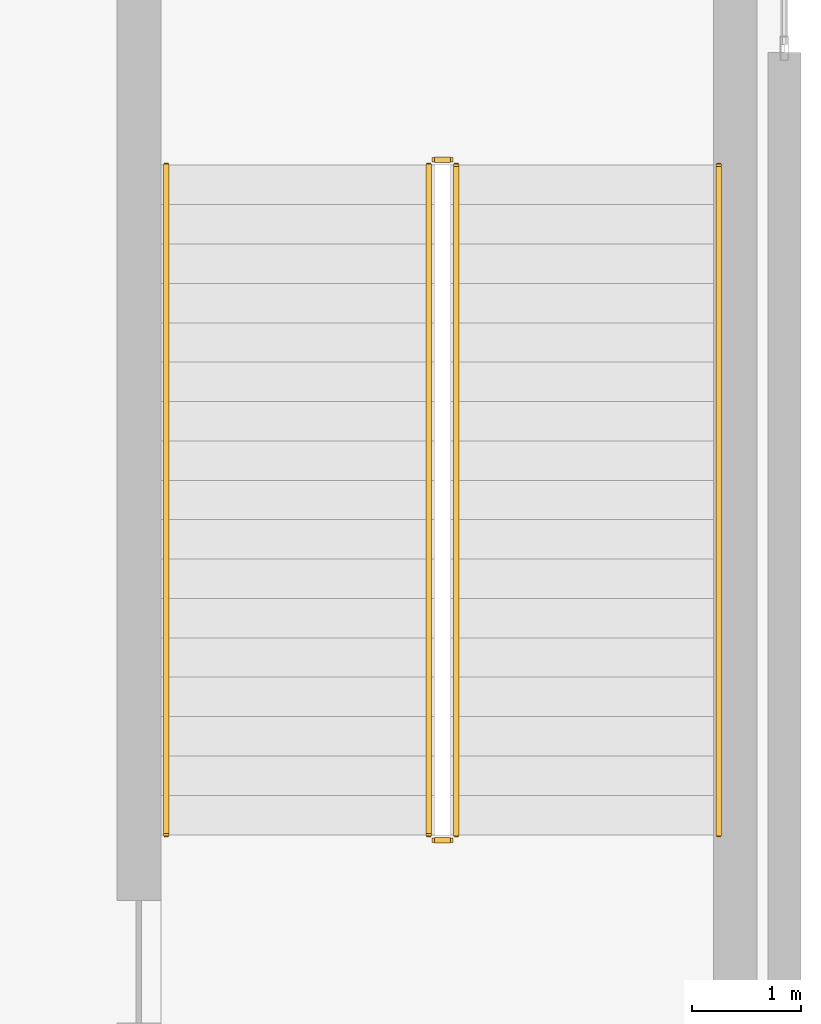
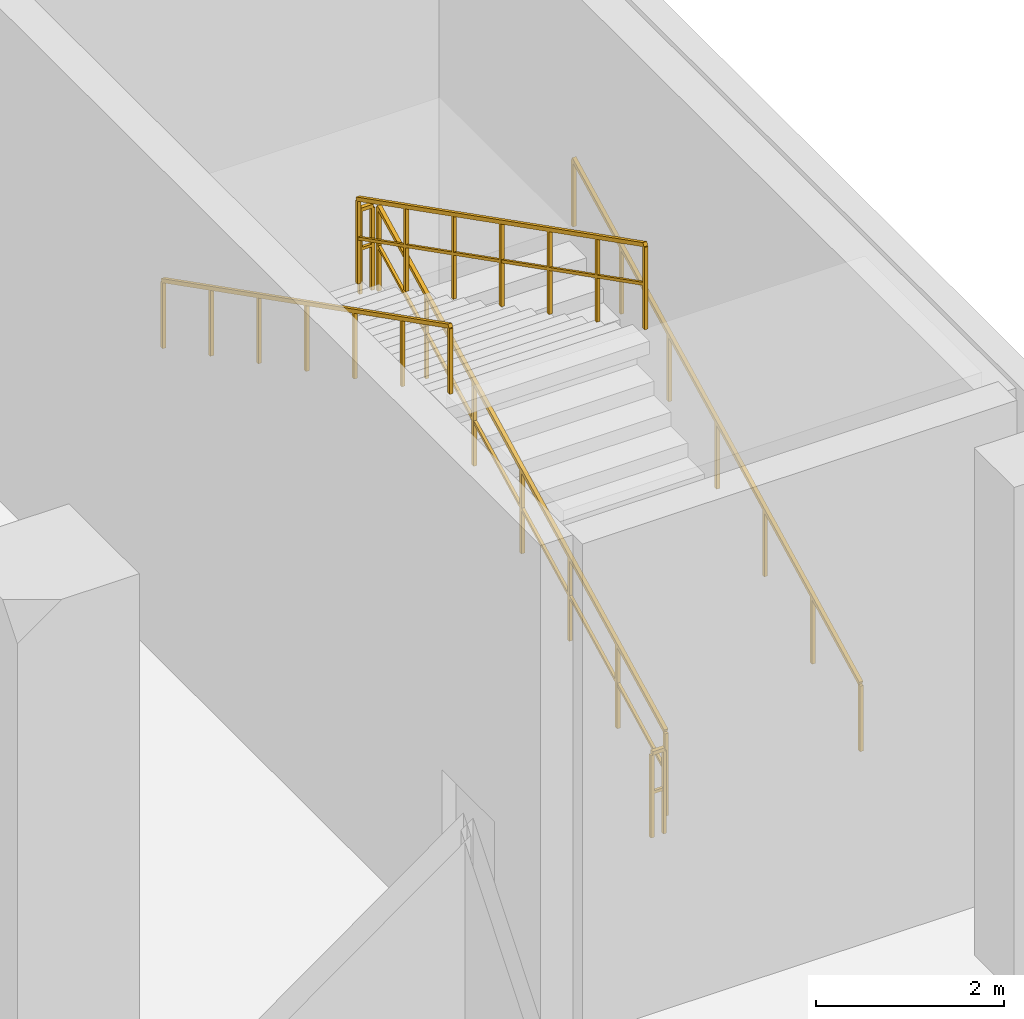
# One storey, part 29 of 30: 6 railings.
"""IFC4 building model written with IfcOpenShell, lengths in metres."""

from ifc_helpers import new_model, si_unit, direction, frame, origin, origin_2d, place, context, subcontext, project, spatial, rectangle, extrude, material, type_object, element, save


model = new_model("IFC4")

# Units and contexts
model_context = context("Model", 3, precision=1e-05, world=origin(), true_north=direction((0.0, 1.0)))
body_context = subcontext(model_context, "Body", "Model", "MODEL_VIEW")
ifc_project = project(units=[si_unit("LENGTHUNIT", "METRE"), si_unit("AREAUNIT", "SQUARE_METRE"), si_unit("VOLUMEUNIT", "CUBIC_METRE"), si_unit("PLANEANGLEUNIT", "RADIAN"), si_unit("MASSUNIT", "GRAM", prefix="KILO")], contexts=[model_context])

# Site, building, storey
site_placement = place(None, origin())
site = spatial("IfcSite", under=ifc_project, at=site_placement, CompositionType="ELEMENT")
building_placement = place(site_placement, origin())
building = spatial("IfcBuilding", under=site, at=building_placement, Name="Zuhayl Quay Hotel", CompositionType="ELEMENT")
storey_placement = place(building_placement, frame((0.0, 0.0, 11.39990234375)))
storey = spatial("IfcBuildingStorey", under=building, at=storey_placement, Name="L02", CompositionType="ELEMENT", Elevation=11.39990234375)

# Railings
ifc_material = material(Name="Steel ASTM A992 Grade 50", Category="steel")
railing_type_1 = type_object("IfcRailingType", Name="RL_GUARD_1100", PredefinedType="GUARDRAIL", material=ifc_material)
railing_1_placement = place(storey_placement, frame((33.0, 4.10009765625, 0.183349609375)))
element("IfcRailing", 1, at=railing_1_placement, inside=storey, type_object=railing_type_1, Name="L02 ST4 stair guard 1", PredefinedType="GUARDRAIL", context=body_context, shape_type="SweptSolid", body=[
    extrude(rectangle(XDim=0.048095703125, YDim=0.048095703125, at=origin_2d()), frame((0.0, 0.0, 1.09619140625), z_axis=(0.0, 0.891096731258, 0.453813414898), x_axis=(-1.0, 0.0, 0.0)), (0.0, 0.0, 1.0), 6.867919921875),
    extrude(rectangle(XDim=0.0361328125, YDim=0.0361328125, at=origin_2d()), frame((0.0, 0.0, 0.58251953125), z_axis=(0.0, 0.891096731258, 0.453813414898), x_axis=(-1.0, 0.0, 0.0)), (0.0, 0.0, 1.0), 6.867919921875),
    extrude(rectangle(XDim=0.0419921875, YDim=0.0419921875, at=origin_2d()), origin(), (0.0, 0.0, 1.0), 1.072021484375),
    extrude(rectangle(XDim=0.0419921875, YDim=0.0419921875, at=origin_2d()), frame((0.0, 1.02001953125, 0.51953125)), (0.0, 0.0, 1.0), 1.072021484375),
    extrude(rectangle(XDim=0.0419921875, YDim=0.0419921875, at=origin_2d()), frame((0.0, 2.0400390625, 1.038818359375)), (0.0, 0.0, 1.0), 1.072021484375),
    extrude(rectangle(XDim=0.0419921875, YDim=0.0419921875, at=origin_2d()), frame((0.0, 3.06005859375, 1.558349609375)), (0.0, 0.0, 1.0), 1.072021484375),
    extrude(rectangle(XDim=0.0419921875, YDim=0.0419921875, at=origin_2d()), frame((0.0, 4.079833984375, 2.077880859375)), (0.0, 0.0, 1.0), 1.072021484375),
    extrude(rectangle(XDim=0.0419921875, YDim=0.0419921875, at=origin_2d()), frame((0.0, 5.099853515625, 2.59716796875)), (0.0, 0.0, 1.0), 1.072021484375),
    extrude(rectangle(XDim=0.0419921875, YDim=0.0419921875, at=origin_2d()), frame((0.0, 6.119873046875, 3.11669921875)), (0.0, 0.0, 1.0), 1.072021484375),
])
railing_2_placement = place(storey_placement, frame((32.949951171875, 10.27001953125, 3.300048828125)))
element("IfcRailing", 2, at=railing_2_placement, inside=storey, type_object=railing_type_1, Name="L02 ST4 stair guard 2", PredefinedType="GUARDRAIL", context=body_context, shape_type="SweptSolid", body=[
    extrude(rectangle(XDim=0.048095703125, YDim=0.048095703125, at=origin_2d()), frame((0.0, 0.0, 1.09619140625), z_axis=(-1.0, 0.0, 0.0), x_axis=(0.0, -1.0, 0.0)), (0.0, 0.0, 1.0), 0.14990234375),
    extrude(rectangle(XDim=0.0361328125, YDim=0.0361328125, at=origin_2d()), frame((0.0, 0.0, 0.58251953125), z_axis=(-1.0, 0.0, 0.0), x_axis=(0.0, -1.0, 0.0)), (0.0, 0.0, 1.0), 0.14990234375),
    extrude(rectangle(XDim=0.0419921875, YDim=0.0419921875, at=origin_2d()), origin(), (0.0, 0.0, 1.0), 1.072021484375),
    extrude(rectangle(XDim=0.0419921875, YDim=0.0419921875, at=origin_2d()), frame((-0.14990234375, 0.0, 0.0)), (0.0, 0.0, 1.0), 1.072021484375),
])
railing_3_placement = place(storey_placement, frame((32.75, 10.219970703125, 3.4833984375)))
element("IfcRailing", 3, at=railing_3_placement, inside=storey, type_object=railing_type_1, Name="L02 ST4 stair guard 3", PredefinedType="GUARDRAIL", context=body_context, shape_type="SweptSolid", body=[
    extrude(rectangle(XDim=0.048095703125, YDim=0.048095703125, at=origin_2d()), frame((0.0, 0.0, 1.09619140625), z_axis=(0.0, -0.891096731258, 0.453813414898), x_axis=(1.0, 0.0, 0.0)), (0.0, 0.0, 1.0), 6.867919921875),
    extrude(rectangle(XDim=0.0361328125, YDim=0.0361328125, at=origin_2d()), frame((0.0, 0.0, 0.58251953125), z_axis=(0.0, -0.891096731258, 0.453813414898), x_axis=(1.0, 0.0, 0.0)), (0.0, 0.0, 1.0), 6.867919921875),
    extrude(rectangle(XDim=0.0419921875, YDim=0.0419921875, at=origin_2d()), origin(), (0.0, 0.0, 1.0), 1.072021484375),
    extrude(rectangle(XDim=0.0419921875, YDim=0.0419921875, at=origin_2d()), frame((0.0, -1.02001953125, 0.51953125)), (0.0, 0.0, 1.0), 1.072021484375),
    extrude(rectangle(XDim=0.0419921875, YDim=0.0419921875, at=origin_2d()), frame((0.0, -2.0400390625, 1.038818359375)), (0.0, 0.0, 1.0), 1.072021484375),
    extrude(rectangle(XDim=0.0419921875, YDim=0.0419921875, at=origin_2d()), frame((0.0, -3.06005859375, 1.558349609375)), (0.0, 0.0, 1.0), 1.072021484375),
    extrude(rectangle(XDim=0.0419921875, YDim=0.0419921875, at=origin_2d()), frame((0.0, -4.079833984375, 2.077880859375)), (0.0, 0.0, 1.0), 1.072021484375),
    extrude(rectangle(XDim=0.0419921875, YDim=0.0419921875, at=origin_2d()), frame((0.0, -5.099853515625, 2.59716796875)), (0.0, 0.0, 1.0), 1.072021484375),
    extrude(rectangle(XDim=0.0419921875, YDim=0.0419921875, at=origin_2d()), frame((0.0, -6.119873046875, 3.11669921875)), (0.0, 0.0, 1.0), 1.072021484375),
])
railing_4_placement = place(storey_placement, frame((32.949951171875, 4.050048828125, 0.0)))
element("IfcRailing", 4, at=railing_4_placement, inside=storey, type_object=railing_type_1, Name="L02 ST4 stair guard 4", PredefinedType="GUARDRAIL", context=body_context, shape_type="SweptSolid", body=[
    extrude(rectangle(XDim=0.048095703125, YDim=0.048095703125, at=origin_2d()), frame((0.0, 0.0, 1.09619140625), z_axis=(-1.0, 0.0, 0.0), x_axis=(0.0, -1.0, 0.0)), (0.0, 0.0, 1.0), 0.14990234375),
    extrude(rectangle(XDim=0.0361328125, YDim=0.0361328125, at=origin_2d()), frame((0.0, 0.0, 0.58251953125), z_axis=(-1.0, 0.0, 0.0), x_axis=(0.0, -1.0, 0.0)), (0.0, 0.0, 1.0), 0.14990234375),
    extrude(rectangle(XDim=0.0419921875, YDim=0.0419921875, at=origin_2d()), origin(), (0.0, 0.0, 1.0), 1.072021484375),
    extrude(rectangle(XDim=0.0419921875, YDim=0.0419921875, at=origin_2d()), frame((-0.14990234375, 0.0, 0.0)), (0.0, 0.0, 1.0), 1.072021484375),
])
railing_type_2 = type_object("IfcRailingType", Name="RL_HANDRAIL_920", PredefinedType="HANDRAIL", material=ifc_material)
railing_5_placement = place(storey_placement, frame((35.39990234375, 4.10009765625, 0.183349609375)))
element("IfcRailing", 5, at=railing_5_placement, inside=storey, type_object=railing_type_2, Name="L02 ST4 stair handrail 1", PredefinedType="HANDRAIL", context=body_context, shape_type="SweptSolid", body=[
    extrude(rectangle(XDim=0.048095703125, YDim=0.048095703125, at=origin_2d()), frame((0.0, 0.0, 0.8759765625), z_axis=(0.0, 0.891096731258, 0.453813414898), x_axis=(-1.0, 0.0, 0.0)), (0.0, 0.0, 1.0), 6.867919921875),
    extrude(rectangle(XDim=0.0419921875, YDim=0.0419921875, at=origin_2d()), origin(), (0.0, 0.0, 1.0), 0.851806640625),
    extrude(rectangle(XDim=0.0419921875, YDim=0.0419921875, at=origin_2d()), frame((0.0, 1.02001953125, 0.51953125)), (0.0, 0.0, 1.0), 0.851806640625),
    extrude(rectangle(XDim=0.0419921875, YDim=0.0419921875, at=origin_2d()), frame((0.0, 2.0400390625, 1.038818359375)), (0.0, 0.0, 1.0), 0.851806640625),
    extrude(rectangle(XDim=0.0419921875, YDim=0.0419921875, at=origin_2d()), frame((0.0, 3.06005859375, 1.558349609375)), (0.0, 0.0, 1.0), 0.851806640625),
    extrude(rectangle(XDim=0.0419921875, YDim=0.0419921875, at=origin_2d()), frame((0.0, 4.079833984375, 2.077880859375)), (0.0, 0.0, 1.0), 0.851806640625),
    extrude(rectangle(XDim=0.0419921875, YDim=0.0419921875, at=origin_2d()), frame((0.0, 5.099853515625, 2.59716796875)), (0.0, 0.0, 1.0), 0.851806640625),
    extrude(rectangle(XDim=0.0419921875, YDim=0.0419921875, at=origin_2d()), frame((0.0, 6.119873046875, 3.11669921875)), (0.0, 0.0, 1.0), 0.851806640625),
])
railing_6_placement = place(storey_placement, frame((30.35009765625, 10.219970703125, 3.4833984375)))
element("IfcRailing", 6, at=railing_6_placement, inside=storey, type_object=railing_type_2, Name="L02 ST4 stair handrail 2", PredefinedType="HANDRAIL", context=body_context, shape_type="SweptSolid", body=[
    extrude(rectangle(XDim=0.048095703125, YDim=0.048095703125, at=origin_2d()), frame((0.0, 0.0, 0.8759765625), z_axis=(0.0, -0.891096731258, 0.453813414898), x_axis=(1.0, 0.0, 0.0)), (0.0, 0.0, 1.0), 6.867919921875),
    extrude(rectangle(XDim=0.0419921875, YDim=0.0419921875, at=origin_2d()), origin(), (0.0, 0.0, 1.0), 0.851806640625),
    extrude(rectangle(XDim=0.0419921875, YDim=0.0419921875, at=origin_2d()), frame((0.0, -1.02001953125, 0.51953125)), (0.0, 0.0, 1.0), 0.851806640625),
    extrude(rectangle(XDim=0.0419921875, YDim=0.0419921875, at=origin_2d()), frame((0.0, -2.0400390625, 1.038818359375)), (0.0, 0.0, 1.0), 0.851806640625),
    extrude(rectangle(XDim=0.0419921875, YDim=0.0419921875, at=origin_2d()), frame((0.0, -3.06005859375, 1.558349609375)), (0.0, 0.0, 1.0), 0.851806640625),
    extrude(rectangle(XDim=0.0419921875, YDim=0.0419921875, at=origin_2d()), frame((0.0, -4.079833984375, 2.077880859375)), (0.0, 0.0, 1.0), 0.851806640625),
    extrude(rectangle(XDim=0.0419921875, YDim=0.0419921875, at=origin_2d()), frame((0.0, -5.099853515625, 2.59716796875)), (0.0, 0.0, 1.0), 0.851806640625),
    extrude(rectangle(XDim=0.0419921875, YDim=0.0419921875, at=origin_2d()), frame((0.0, -6.119873046875, 3.11669921875)), (0.0, 0.0, 1.0), 0.851806640625),
])

save(model, "model.ifc")
